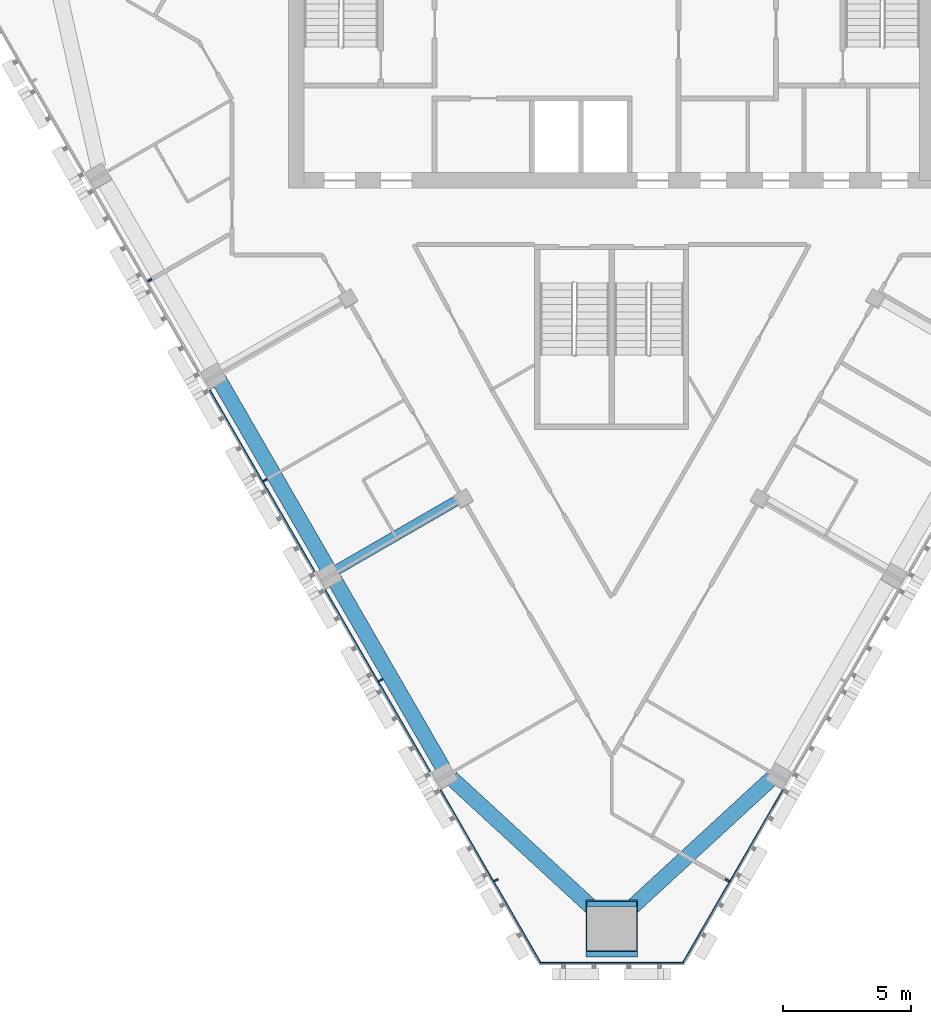
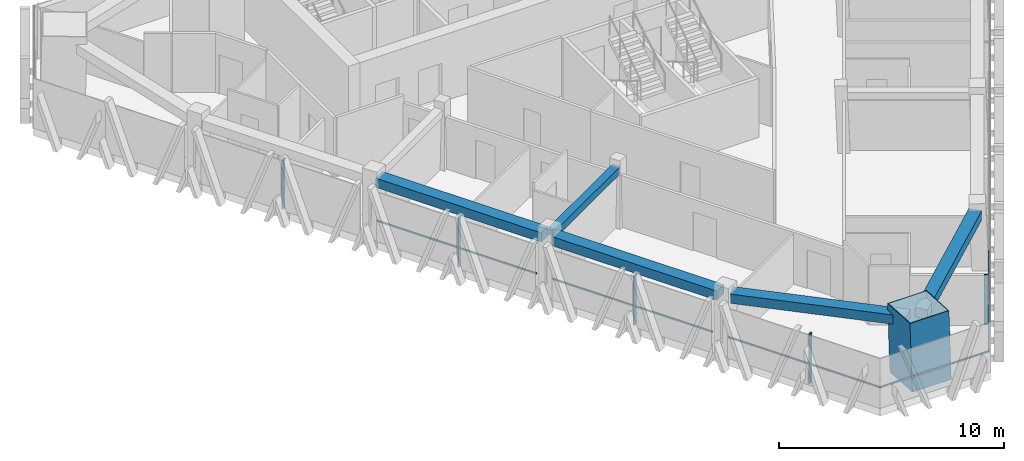
# One storey, part 2 of 14: 11 members, 5 beams, 3 elements without a shape of their own.
"""IFC4 building model written with IfcOpenShell, lengths in metres."""

from ifc_helpers import new_model, si_unit, direction, frame, origin, origin_2d, place, context, subcontext, project, spatial, rectangle, hollow_rectangle, extrude, material, layer, layer_set, material_profile, profile_set, type_object, element, aggregate, save


model = new_model("IFC4")

# Units and contexts
model_context = context("Model", 3, precision=1e-05, world=origin(), true_north=direction((0.0, 1.0)))
body_context = subcontext(model_context, "Body", "Model", "MODEL_VIEW")
ifc_project = project(units=[si_unit("LENGTHUNIT", "METRE"), si_unit("AREAUNIT", "SQUARE_METRE"), si_unit("VOLUMEUNIT", "CUBIC_METRE"), si_unit("PLANEANGLEUNIT", "RADIAN"), si_unit("MASSUNIT", "GRAM", prefix="KILO")], contexts=[model_context])

# Site, building, storey
site_placement = place(None, origin())
site = spatial("IfcSite", under=ifc_project, at=site_placement, CompositionType="ELEMENT")
building_placement = place(site_placement, origin())
building = spatial("IfcBuilding", under=site, at=building_placement, Name="Altiplano Prism Tower", CompositionType="ELEMENT")
storey_placement = place(building_placement, frame((0.0, 0.0, 230.199951171875)))
storey = spatial("IfcBuildingStorey", under=building, at=storey_placement, Name="L59", CompositionType="ELEMENT", Elevation=230.199951171875)

# Curtain wall, members
ifc_material_1 = material(Name="Aluminium and glass", Category="aluminium")
ifc_layer = layer(ifc_material_1, 0.280029296875)
ifc_layer_set = layer_set([ifc_layer], Name="Aluminium and glass")
curtain_wall_type = type_object("IfcCurtainWallType", Name="CW1 typical co-living unitised curtain wall", PredefinedType="NOTDEFINED", material=ifc_layer_set)
curtain_wall_1_placement = place(storey_placement, origin())
curtain_wall_1 = element("IfcCurtainWall", 1, at=curtain_wall_1_placement, inside=storey, type_object=curtain_wall_type, Name="CW1 curtain wall south-west face L59", PredefinedType="NOTDEFINED")
ifc_material_2 = material(Name="Aluminium", Category="aluminium")
ifc_material_profile_1 = material_profile(ifc_material_2, rectangle(XDim=0.179931640625, YDim=0.06494140625, at=origin_2d()), Name="CW1 mullion 65 x 180")
ifc_profile_set_1 = profile_set([ifc_material_profile_1], Name="Aluminium")
member_type_1 = type_object("IfcMemberType", Name="CW1 mullion 65 x 180", PredefinedType="MULLION", material=ifc_profile_set_1)
member_1_placement = place(storey_placement, frame((66.992919921875, 89.20947265625, 0.0), z_axis=(0.0, 0.0, 1.0), x_axis=(0.866025400599, 0.500000005517, 0.0)))
member_1 = element("IfcMember", 2, at=member_1_placement, type_object=member_type_1, Name="CW1 mullion", PredefinedType="MULLION", context=body_context, shape_type="SweptSolid", body=[
    extrude(rectangle(XDim=0.179931640625, YDim=0.06494140625, at=origin_2d()), origin(), (0.0, 0.0, 1.0), 2.699951171875),
])
member_2_placement = place(storey_placement, frame((71.492919921875, 81.4150390625, 0.0), z_axis=(0.0, 0.0, 1.0), x_axis=(0.866025400599, 0.500000005517, 0.0)))
member_2 = element("IfcMember", 3, at=member_2_placement, type_object=member_type_1, Name="CW1 mullion", PredefinedType="MULLION", context=body_context, shape_type="SweptSolid", body=[
    extrude(rectangle(XDim=0.179931640625, YDim=0.06494140625, at=origin_2d()), origin(), (0.0, 0.0, 1.0), 2.699951171875),
])
member_3_placement = place(storey_placement, frame((75.992919921875, 73.620849609375, 0.0), z_axis=(0.0, 0.0, 1.0), x_axis=(0.866025400599, 0.500000005517, 0.0)))
member_3 = element("IfcMember", 4, at=member_3_placement, type_object=member_type_1, Name="CW1 mullion", PredefinedType="MULLION", context=body_context, shape_type="SweptSolid", body=[
    extrude(rectangle(XDim=0.179931640625, YDim=0.06494140625, at=origin_2d()), origin(), (0.0, 0.0, 1.0), 2.699951171875),
])
member_4_placement = place(storey_placement, frame((80.492919921875, 65.82666015625, 0.0), z_axis=(0.0, 0.0, 1.0), x_axis=(0.866025400599, 0.500000005517, 0.0)))
member_4 = element("IfcMember", 5, at=member_4_placement, type_object=member_type_1, Name="CW1 mullion", PredefinedType="MULLION", context=body_context, shape_type="SweptSolid", body=[
    extrude(rectangle(XDim=0.179931640625, YDim=0.06494140625, at=origin_2d()), origin(), (0.0, 0.0, 1.0), 2.699951171875),
])

# Curtain wall, member
curtain_wall_2_placement = place(storey_placement, origin())
curtain_wall_2 = element("IfcCurtainWall", 6, at=curtain_wall_2_placement, inside=storey, type_object=curtain_wall_type, Name="CW1 curtain wall south-east face L59", PredefinedType="NOTDEFINED")
member_5_placement = place(storey_placement, frame((89.507080078125, 65.82666015625, 0.0), z_axis=(0.0, 0.0, 1.0), x_axis=(-0.866025400599, 0.500000005517, 0.0)))
member_5 = element("IfcMember", 7, at=member_5_placement, type_object=member_type_1, Name="CW1 mullion", PredefinedType="MULLION", context=body_context, shape_type="SweptSolid", body=[
    extrude(rectangle(XDim=0.179931640625, YDim=0.06494140625, at=origin_2d()), origin(), (0.0, 0.0, 1.0), 2.699951171875),
])

# Member
ifc_material_profile_2 = material_profile(ifc_material_2, rectangle(XDim=0.06005859375, YDim=0.080078125, at=origin_2d()), Name="CW1 transom 80 x 60")
ifc_profile_set_2 = profile_set([ifc_material_profile_2], Name="Aluminium")
member_type_2 = type_object("IfcMemberType", Name="CW1 transom 80 x 60", PredefinedType="USERDEFINED", material=ifc_profile_set_2)
member_6_placement = place(storey_placement, frame((69.326904296875, 84.927001953125, 1.10009765625), z_axis=(0.500008722908, -0.866020367552, 0.0), x_axis=(0.866020367552, 0.500008722908, 0.0)))
member_6 = element("IfcMember", 8, at=member_6_placement, type_object=member_type_2, Name="CW1 transom", ObjectType="TRANSOM", PredefinedType="USERDEFINED", context=body_context, shape_type="SweptSolid", body=[
    extrude(rectangle(XDim=0.06005859375, YDim=0.080078125, at=origin_2d()), origin(), (0.0, 0.0, 1.0), 8.169677734375),
])

member_7_placement = place(storey_placement, frame((73.826904296875, 77.1328125, 1.10009765625), z_axis=(0.499995783154, -0.866027838368, 0.0), x_axis=(0.866027838368, 0.499995783154, 0.0)))
member_7 = element("IfcMember", 9, at=member_7_placement, type_object=member_type_2, Name="CW1 transom", ObjectType="TRANSOM", PredefinedType="USERDEFINED", context=body_context, shape_type="SweptSolid", body=[
    extrude(rectangle(XDim=0.06005859375, YDim=0.080078125, at=origin_2d()), origin(), (0.0, 0.0, 1.0), 8.169921875),
])

member_8_placement = place(storey_placement, frame((78.326904296875, 69.338623046875, 1.10009765625), z_axis=(0.499987562142, -0.866032584666, 0.0), x_axis=(0.866032584666, 0.499987562142, 0.0)))
member_8 = element("IfcMember", 10, at=member_8_placement, type_object=member_type_2, Name="CW1 transom", ObjectType="TRANSOM", PredefinedType="USERDEFINED", context=body_context, shape_type="SweptSolid", body=[
    extrude(rectangle(XDim=0.06005859375, YDim=0.080078125, at=origin_2d()), origin(), (0.0, 0.0, 1.0), 7.812255859375),
])

aggregate(curtain_wall_1, [member_1, member_2, member_6, member_3, member_7, member_4, member_8])

# Curtain wall, member
curtain_wall_3_placement = place(storey_placement, origin())
curtain_wall_3 = element("IfcCurtainWall", 11, at=curtain_wall_3_placement, inside=storey, type_object=curtain_wall_type, Name="CW1 curtain wall south chamfer L59", PredefinedType="NOTDEFINED")
member_9_placement = place(storey_placement, frame((82.17236328125, 62.608154296875, 1.10009765625), z_axis=(1.0, 0.0, 0.0), x_axis=(0.0, 1.0, 0.0)))
member_9 = element("IfcMember", 12, at=member_9_placement, type_object=member_type_2, Name="CW1 transom", ObjectType="TRANSOM", PredefinedType="USERDEFINED", context=body_context, shape_type="SweptSolid", body=[
    extrude(rectangle(XDim=0.06005859375, YDim=0.080078125, at=origin_2d()), origin(), (0.0, 0.0, 1.0), 5.6552734375),
])
aggregate(curtain_wall_3, [member_9])

# Member
member_10_placement = place(storey_placement, frame((87.76708984375, 62.572998046875, 1.10009765625), z_axis=(0.499987562142, 0.866032584666, 0.0), x_axis=(-0.866032584666, 0.499987562142, 0.0)))
member_10 = element("IfcMember", 13, at=member_10_placement, type_object=member_type_2, Name="CW1 transom", ObjectType="TRANSOM", PredefinedType="USERDEFINED", context=body_context, shape_type="SweptSolid", body=[
    extrude(rectangle(XDim=0.06005859375, YDim=0.080078125, at=origin_2d()), origin(), (0.0, 0.0, 1.0), 7.812255859375),
])

aggregate(curtain_wall_2, [member_5, member_10])

# Beams
ifc_material_3 = material(Name="Concrete C60/75", Category="concrete")
ifc_material_profile_3 = material_profile(ifc_material_3, rectangle(XDim=0.60009765625, YDim=0.5, at=origin_2d()), Name="Edge beam 600x500")
ifc_profile_set_3 = profile_set([ifc_material_profile_3], Name="Concrete C60/75")
beam_type_1 = type_object("IfcBeamType", Name="Edge beam 600x500", PredefinedType="SPANDREL", material=ifc_profile_set_3)
for number, where, z_axis, x_axis, name in (
    (14, (69.675537109375, 85.35986328125, 2.949951171875), (0.500011199594, -0.866018937599, 0.0), (0.866018937599, 0.500011199594, 0.0), "Edge beam P12-P13 L60"),
    (15, (74.175537109375, 77.565673828125, 2.949951171875), (0.500011199594, -0.866018937599, 0.0), (0.866018937599, 0.500011199594, 0.0), "Edge beam P13-P14 L60"),
):
    element("IfcBeam", number, at=place(storey_placement, frame(where, z_axis=z_axis, x_axis=x_axis)), inside=storey, type_object=beam_type_1, Name=name, PredefinedType="SPANDREL", context=body_context, shape_type="SweptSolid", body=[
        extrude(rectangle(XDim=0.60009765625, YDim=0.5, at=origin_2d()), origin(), (0.0, 0.0, 1.0), 8.489990234375),
    ])
for number, where, z_axis, x_axis, name in (
    (16, (78.748779296875, 69.807373046875, 2.949951171875), (0.735478679586, -0.677547866851, 0.0), (0.677547866851, 0.735478679586, 0.0), "Edge beam P14-M1 L60"),
    (17, (85.3310546875, 64.353515625, 2.949951171875), (0.735478679586, 0.677547866851, 0.0), (-0.677547866851, 0.735478679586, 0.0), "Edge beam M1-P21 L60"),
):
    element("IfcBeam", number, at=place(storey_placement, frame(where, z_axis=z_axis, x_axis=x_axis)), inside=storey, type_object=beam_type_1, Name=name, PredefinedType="SPANDREL", context=body_context, shape_type="SweptSolid", body=[
        extrude(rectangle(XDim=0.60009765625, YDim=0.5, at=origin_2d()), origin(), (0.0, 0.0, 1.0), 8.04931640625),
    ])

# Member
ifc_material_4 = material(Name="Steel S460", Category="steel")
ifc_material_profile_4 = material_profile(ifc_material_4, hollow_rectangle(XDim=2.0, YDim=2.0, WallThickness=0.0400390625, at=origin_2d()), Name="Mega column tube 2000")
ifc_profile_set_4 = profile_set([ifc_material_profile_4], Name="Steel S460")
member_type_3 = type_object("IfcMemberType", Name="Mega column tube 2000", PredefinedType="POST", material=ifc_profile_set_4)
member_11_placement = place(storey_placement, frame((85.0, 63.838134765625, 0.0), z_axis=(0.0, 0.058356907999, 0.998295783467), x_axis=(-1.0, 0.0, 0.0)))
element("IfcMember", 18, at=member_11_placement, inside=storey, type_object=member_type_3, Name="Mega column tube M1 L59", PredefinedType="POST", context=body_context, shape_type="SweptSolid", body=[
    extrude(hollow_rectangle(XDim=2.0, YDim=2.0, WallThickness=0.0400390625, at=origin_2d()), origin(), (0.0, 0.0, 1.0), 3.606201171875),
])

# Beam
ifc_material_profile_5 = material_profile(ifc_material_3, rectangle(XDim=0.39990234375, YDim=0.39990234375, at=origin_2d()), Name="Tie beam 400x400")
ifc_profile_set_5 = profile_set([ifc_material_profile_5], Name="Concrete C60/75")
beam_type_2 = type_object("IfcBeamType", Name="Tie beam 400x400", PredefinedType="BEAM", material=ifc_profile_set_5)
beam_placement = place(storey_placement, frame((79.1533203125, 80.734130859375, 3.0), z_axis=(-0.866015459562, -0.500017223503, 0.0), x_axis=(0.500017223503, -0.866015459562, 0.0)))
element("IfcBeam", 19, at=beam_placement, inside=storey, type_object=beam_type_2, Name="Tie beam I13 L60", PredefinedType="BEAM", context=body_context, shape_type="SweptSolid", body=[
    extrude(rectangle(XDim=0.39990234375, YDim=0.39990234375, at=origin_2d()), origin(), (0.0, 0.0, 1.0), 5.639892578125),
])

save(model, "model.ifc")
